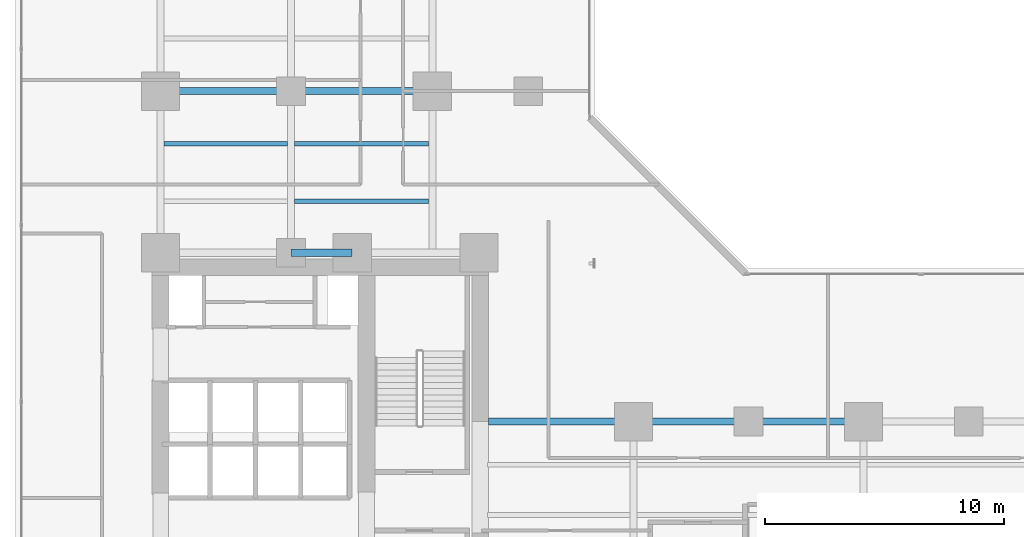
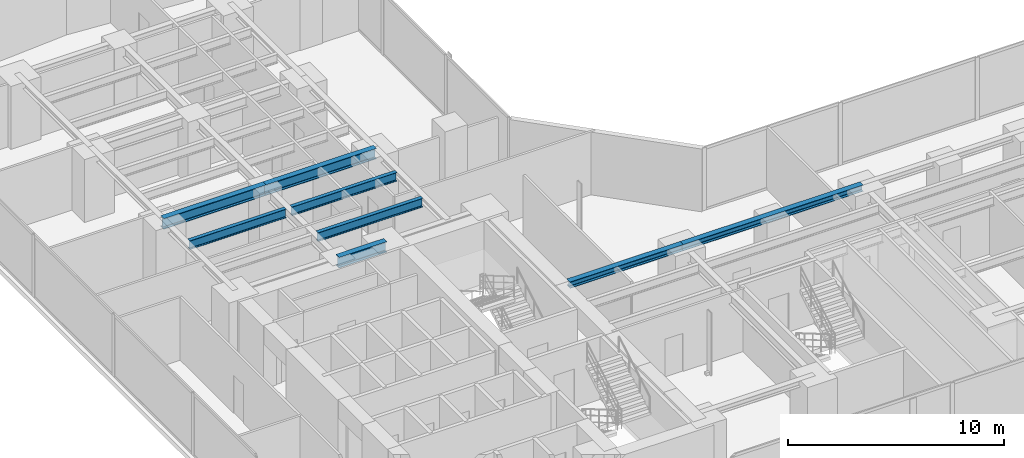
# One storey, part 7 of 28: 8 beams.
"""IFC4 building model written with IfcOpenShell, lengths in metres."""

from ifc_helpers import new_model, si_unit, direction, frame, origin, origin_2d, place, context, subcontext, project, spatial, i_section, extrude, material, material_profile, profile_set, type_object, element, save


model = new_model("IFC4")

# Units and contexts
model_context = context("Model", 3, precision=1e-05, world=origin(), true_north=direction((0.0, 1.0)))
body_context = subcontext(model_context, "Body", "Model", "MODEL_VIEW")
ifc_project = project(units=[si_unit("LENGTHUNIT", "METRE"), si_unit("AREAUNIT", "SQUARE_METRE"), si_unit("VOLUMEUNIT", "CUBIC_METRE"), si_unit("PLANEANGLEUNIT", "RADIAN"), si_unit("MASSUNIT", "GRAM", prefix="KILO")], contexts=[model_context])

# Site, building, storey
site_placement = place(None, origin())
site = spatial("IfcSite", under=ifc_project, at=site_placement, CompositionType="ELEMENT")
building_placement = place(site_placement, origin())
building = spatial("IfcBuilding", under=site, at=building_placement, Name="Kolvaren Waterfront Exchange", CompositionType="ELEMENT")
storey_placement = place(building_placement, frame((0.0, 0.0, 56.199951171875)))
storey = spatial("IfcBuildingStorey", under=building, at=storey_placement, Name="L14", CompositionType="ELEMENT", Elevation=56.199951171875)

# Beams
ifc_material = material(Name="Steel S355", Category="steel")
ifc_material_profile_1 = material_profile(ifc_material, i_section(OverallWidth=0.300048828125, OverallDepth=0.360107421875, WebThickness=0.012451171875, FlangeThickness=0.0224609375, FilletRadius=0.027099609375, at=origin_2d()), Name="HEB360")
ifc_profile_set_1 = profile_set([ifc_material_profile_1], Name="Steel S355")
beam_type_1 = type_object("IfcBeamType", Name="STR-BM-HEB360", PredefinedType="SPANDREL", material=ifc_profile_set_1)
beam_1_placement = place(storey_placement, frame((21.14990234375, 17.39990234375, 3.360107421875), z_axis=(1.0, 0.0, 0.0), x_axis=(0.0, 1.0, 0.0)))
element("IfcBeam", 1, at=beam_1_placement, inside=storey, type_object=beam_type_1, Name="L14 east-arm spandrel N1", PredefinedType="SPANDREL", context=body_context, shape_type="SweptSolid", body=[
    extrude(i_section(OverallWidth=0.300048828125, OverallDepth=0.360107421875, WebThickness=0.012451171875, FlangeThickness=0.0224609375, FilletRadius=0.027099609375, at=origin_2d()), origin(), (0.0, 0.0, 1.0), 6.050048828125),
])
beam_2_placement = place(storey_placement, frame((27.199951171875, 17.39990234375, 3.360107421875), z_axis=(1.0, 0.0, 0.0), x_axis=(0.0, 1.0, 0.0)))
element("IfcBeam", 2, at=beam_2_placement, inside=storey, type_object=beam_type_1, Name="L14 east-arm spandrel N2", PredefinedType="SPANDREL", context=body_context, shape_type="SweptSolid", body=[
    extrude(i_section(OverallWidth=0.300048828125, OverallDepth=0.360107421875, WebThickness=0.012451171875, FlangeThickness=0.0224609375, FilletRadius=0.027099609375, at=origin_2d()), origin(), (0.0, 0.0, 1.0), 9.60009765625),
])
ifc_material_profile_2 = material_profile(ifc_material, i_section(OverallWidth=0.300048828125, OverallDepth=0.60009765625, WebThickness=0.015380859375, FlangeThickness=0.030029296875, FilletRadius=0.027099609375, at=origin_2d()), Name="HEB600")
ifc_profile_set_2 = profile_set([ifc_material_profile_2], Name="Steel S355")
beam_type_2 = type_object("IfcBeamType", Name="STR-BM-HEB600", PredefinedType="BEAM", material=ifc_profile_set_2)
beam_3_placement = place(storey_placement, frame((12.89990234375, 24.449951171875, 3.239990234375), z_axis=(1.0, 0.0, 0.0), x_axis=(0.0, 1.0, 0.0)))
element("IfcBeam", 3, at=beam_3_placement, inside=storey, type_object=beam_type_2, Name="L14 north-arm girder 1B", PredefinedType="BEAM", context=body_context, shape_type="SweptSolid", body=[
    extrude(i_section(OverallWidth=0.300048828125, OverallDepth=0.60009765625, WebThickness=0.015380859375, FlangeThickness=0.030029296875, FilletRadius=0.027099609375, at=origin_2d()), origin(), (0.0, 0.0, 1.0), 2.550048828125),
])
beam_4_placement = place(storey_placement, frame((7.449951171875, 31.199951171875, 3.239990234375), z_axis=(1.0, 0.0, 0.0), x_axis=(0.0, 1.0, 0.0)))
element("IfcBeam", 4, at=beam_4_placement, inside=storey, type_object=beam_type_2, Name="L14 north-arm girder 2A", PredefinedType="BEAM", context=body_context, shape_type="SweptSolid", body=[
    extrude(i_section(OverallWidth=0.300048828125, OverallDepth=0.60009765625, WebThickness=0.015380859375, FlangeThickness=0.030029296875, FilletRadius=0.027099609375, at=origin_2d()), origin(), (0.0, 0.0, 1.0), 5.449951171875),
])
beam_5_placement = place(storey_placement, frame((12.89990234375, 31.199951171875, 3.239990234375), z_axis=(1.0, 0.0, 0.0), x_axis=(0.0, 1.0, 0.0)))
element("IfcBeam", 5, at=beam_5_placement, inside=storey, type_object=beam_type_2, Name="L14 north-arm girder 2B", PredefinedType="BEAM", context=body_context, shape_type="SweptSolid", body=[
    extrude(i_section(OverallWidth=0.300048828125, OverallDepth=0.60009765625, WebThickness=0.015380859375, FlangeThickness=0.030029296875, FilletRadius=0.027099609375, at=origin_2d()), origin(), (0.0, 0.0, 1.0), 5.900146484375),
])
ifc_material_profile_3 = material_profile(ifc_material, i_section(OverallWidth=0.199951171875, OverallDepth=0.5, WebThickness=0.01025390625, FlangeThickness=0.01611328125, FilletRadius=0.02099609375, at=origin_2d()), Name="IPE500")
ifc_profile_set_3 = profile_set([ifc_material_profile_3], Name="Steel S355")
beam_type_3 = type_object("IfcBeamType", Name="STR-BM-IPE500", PredefinedType="JOIST", material=ifc_profile_set_3)
beam_6_placement = place(storey_placement, frame((13.052001953125, 26.60009765625, 3.2900390625), z_axis=(1.0, 0.0, 0.0), x_axis=(0.0, 1.0, 0.0)))
element("IfcBeam", 6, at=beam_6_placement, inside=storey, type_object=beam_type_3, Name="L14 north-arm composite joist 1B", PredefinedType="JOIST", context=body_context, shape_type="SweptSolid", body=[
    extrude(i_section(OverallWidth=0.199951171875, OverallDepth=0.5, WebThickness=0.01025390625, FlangeThickness=0.01611328125, FilletRadius=0.02099609375, at=origin_2d()), origin(), (0.0, 0.0, 1.0), 5.595947265625),
])
beam_7_placement = place(storey_placement, frame((7.60205078125, 29.0, 3.2900390625), z_axis=(1.0, 0.0, 0.0), x_axis=(0.0, 1.0, 0.0)))
element("IfcBeam", 7, at=beam_7_placement, inside=storey, type_object=beam_type_3, Name="L14 north-arm composite joist 2A", PredefinedType="JOIST", context=body_context, shape_type="SweptSolid", body=[
    extrude(i_section(OverallWidth=0.199951171875, OverallDepth=0.5, WebThickness=0.01025390625, FlangeThickness=0.01611328125, FilletRadius=0.02099609375, at=origin_2d()), origin(), (0.0, 0.0, 1.0), 5.14599609375),
])
beam_8_placement = place(storey_placement, frame((13.052001953125, 29.0, 3.2900390625), z_axis=(1.0, 0.0, 0.0), x_axis=(0.0, 1.0, 0.0)))
element("IfcBeam", 8, at=beam_8_placement, inside=storey, type_object=beam_type_3, Name="L14 north-arm composite joist 2B", PredefinedType="JOIST", context=body_context, shape_type="SweptSolid", body=[
    extrude(i_section(OverallWidth=0.199951171875, OverallDepth=0.5, WebThickness=0.01025390625, FlangeThickness=0.01611328125, FilletRadius=0.02099609375, at=origin_2d()), origin(), (0.0, 0.0, 1.0), 5.595947265625),
])

save(model, "model.ifc")
